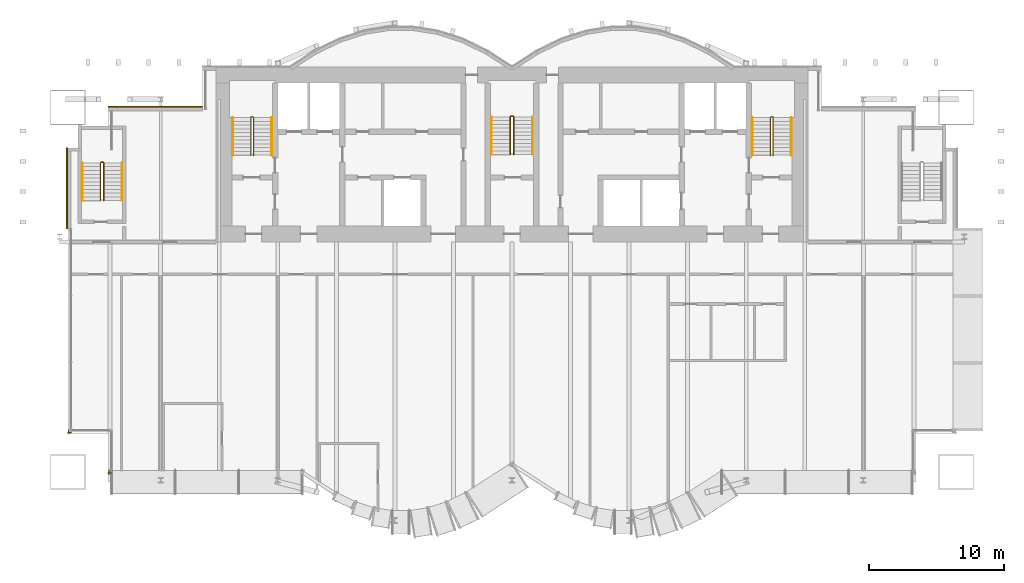
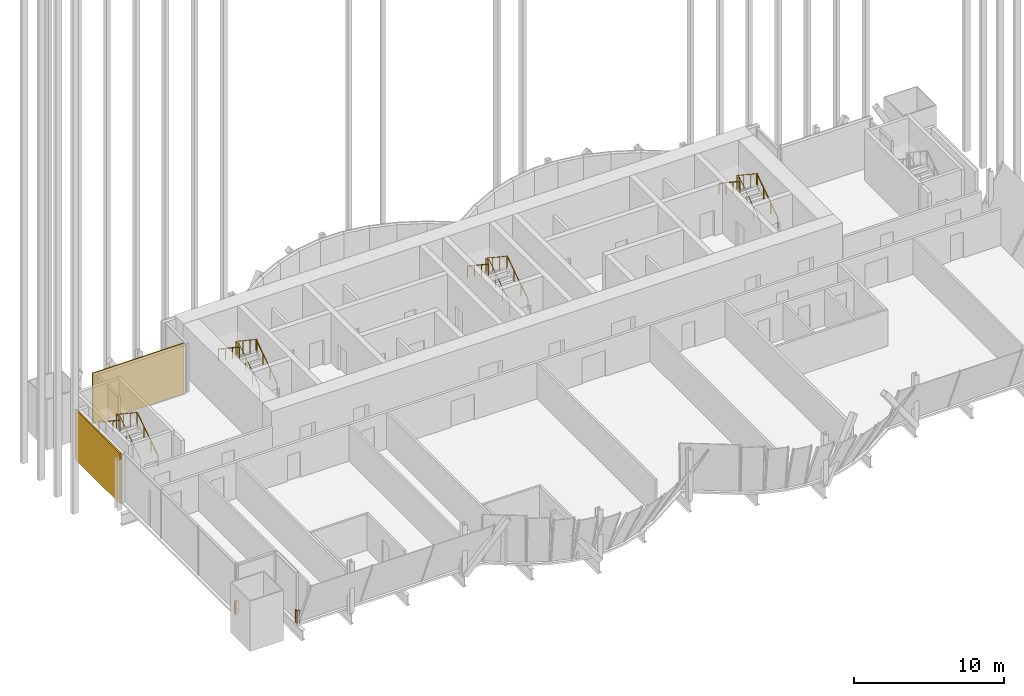
# One storey, part 27 of 29: 14 railings, 2 coverings.
"""IFC4 building model written with IfcOpenShell, lengths in metres."""

from ifc_helpers import new_model, si_unit, direction, frame, origin, origin_2d, place, context, subcontext, project, spatial, rectangle, circle, extrude, material, layer, layer_set, type_object, element, save


model = new_model("IFC4")

# Units and contexts
model_context = context("Model", 3, precision=1e-05, world=origin(), true_north=direction((0.0, 1.0)))
body_context = subcontext(model_context, "Body", "Model", "MODEL_VIEW")
ifc_project = project(units=[si_unit("LENGTHUNIT", "METRE"), si_unit("AREAUNIT", "SQUARE_METRE"), si_unit("VOLUMEUNIT", "CUBIC_METRE"), si_unit("PLANEANGLEUNIT", "RADIAN"), si_unit("MASSUNIT", "GRAM", prefix="KILO")], contexts=[model_context])

# Site, building, storey
site_placement = place(None, origin())
site = spatial("IfcSite", under=ifc_project, at=site_placement, CompositionType="ELEMENT")
building_placement = place(site_placement, origin())
building = spatial("IfcBuilding", under=site, at=building_placement, Name="Bicima Exchange Tower", CompositionType="ELEMENT")
storey_placement = place(building_placement, frame((0.0, 0.0, 190.89990234375)))
storey = spatial("IfcBuildingStorey", under=building, at=storey_placement, Name="L42", CompositionType="ELEMENT", Elevation=190.89990234375)

# Coverings
ifc_material_1 = material(Name="Bronze metal cladding")
ifc_layer_1 = layer(ifc_material_1, 0.004)
ifc_material_2 = material(Name="Ventilated cavity")
ifc_layer_2 = layer(ifc_material_2, 0.06)
ifc_material_3 = material(Name="Galvanised steel rail and mineral wool", Category="steel")
ifc_layer_3 = layer(ifc_material_3, 0.036)
ifc_layer_set = layer_set([ifc_layer_1, ifc_layer_2, ifc_layer_3], Name="Ventilated cavity")
covering_type = type_object("IfcCoveringType", Name="Bronze metal cladding panel 100", PredefinedType="CLADDING", material=ifc_layer_set)
covering_1_placement = place(storey_placement, frame((-26.5, -2.949951171875, -0.14990234375), z_axis=(0.0, 0.0, 1.0), x_axis=(-1.0, 0.0, 0.0)))
element("IfcCovering", 1, at=covering_1_placement, inside=storey, type_object=covering_type, Name="Bronze cladding L42 28.1", PredefinedType="CLADDING", context=body_context, shape_type="SweptSolid", body=[
    extrude(rectangle(XDim=7.0, YDim=0.10009765625, at=origin_2d()), origin(), (0.0, 0.0, 1.0), 4.10009765625),
])
covering_2_placement = place(storey_placement, frame((-33.050048828125, -9.0, -0.14990234375), z_axis=(0.0, 0.0, 1.0), x_axis=(0.0, -1.0, 0.0)))
element("IfcCovering", 2, at=covering_2_placement, inside=storey, type_object=covering_type, Name="Bronze cladding L42 31.1", PredefinedType="CLADDING", context=body_context, shape_type="SweptSolid", body=[
    extrude(rectangle(XDim=6.0, YDim=0.10009765625, at=origin_2d()), origin(), (0.0, 0.0, 1.0), 4.10009765625),
])

# Railings
ifc_material_4 = material(Name="Stainless steel and bonded safety glass", Category="steel")
railing_type_1 = type_object("IfcRailingType", Name="Edge guard 1100", PredefinedType="GUARDRAIL", material=ifc_material_4)
railing_1_placement = place(storey_placement, frame((-29.751953125, -30.166015625, 0.0)))
element("IfcRailing", 3, at=railing_1_placement, inside=storey, type_object=railing_type_1, Name="Edge guard L42 210", PredefinedType="GUARDRAIL", context=body_context, shape_type="SweptSolid", body=[
    extrude(circle(Radius=0.02392578125, at=origin_2d()), frame((0.0, 0.0, 1.076171875), z_axis=(-1.0, 0.0, 0.0), x_axis=(0.0, -1.0, 0.0)), (0.0, 0.0, 1.0), 0.248046875),
    extrude(circle(Radius=0.02392578125, at=origin_2d()), frame((-0.248046875, 0.0, 1.076171875), z_axis=(0.707106781187, -0.707106781187, 0.0), x_axis=(0.707106781187, 0.707106781187, 0.0)), (0.0, 0.0, 1.0), 0.07080078125),
    extrude(circle(Radius=0.02392578125, at=origin_2d()), frame((-0.197998046875, -0.050048828125, 1.076171875), z_axis=(0.0, 1.0, 0.0), x_axis=(-1.0, 0.0, 0.0)), (0.0, 0.0, 1.0), 0.25),
    extrude(circle(Radius=0.02099609375, at=origin_2d()), origin(), (0.0, 0.0, 1.0), 1.052001953125),
    extrude(circle(Radius=0.02099609375, at=origin_2d()), frame((-0.248046875, 0.0, 0.0)), (0.0, 0.0, 1.0), 1.052001953125),
    extrude(circle(Radius=0.02099609375, at=origin_2d()), frame((-0.197998046875, -0.050048828125, 0.0)), (0.0, 0.0, 1.0), 1.052001953125),
    extrude(circle(Radius=0.02099609375, at=origin_2d()), frame((-0.197998046875, 0.199951171875, 0.0)), (0.0, 0.0, 1.0), 1.052001953125),
])
railing_2_placement = place(storey_placement, frame((-32.75, -27.166015625, 0.0)))
element("IfcRailing", 4, at=railing_2_placement, inside=storey, type_object=railing_type_1, Name="Edge guard L42 211", PredefinedType="GUARDRAIL", context=body_context, shape_type="SweptSolid", body=[
    extrude(circle(Radius=0.02392578125, at=origin_2d()), frame((0.0, 0.0, 1.076171875), z_axis=(-1.0, 0.0, 0.0), x_axis=(0.0, -1.0, 0.0)), (0.0, 0.0, 1.0), 0.25),
    extrude(circle(Radius=0.02392578125, at=origin_2d()), frame((-0.25, 0.0, 1.076171875), z_axis=(0.707106781187, -0.707106781187, 0.0), x_axis=(0.707106781187, 0.707106781187, 0.0)), (0.0, 0.0, 1.0), 0.07080078125),
    extrude(circle(Radius=0.02392578125, at=origin_2d()), frame((-0.199951171875, -0.050048828125, 1.076171875), z_axis=(0.0, 1.0, 0.0), x_axis=(-1.0, 0.0, 0.0)), (0.0, 0.0, 1.0), 0.25),
    extrude(circle(Radius=0.02099609375, at=origin_2d()), origin(), (0.0, 0.0, 1.0), 1.052001953125),
    extrude(circle(Radius=0.02099609375, at=origin_2d()), frame((-0.25, 0.0, 0.0)), (0.0, 0.0, 1.0), 1.052001953125),
    extrude(circle(Radius=0.02099609375, at=origin_2d()), frame((-0.199951171875, -0.050048828125, 0.0)), (0.0, 0.0, 1.0), 1.052001953125),
    extrude(circle(Radius=0.02099609375, at=origin_2d()), frame((-0.199951171875, 0.199951171875, 0.0)), (0.0, 0.0, 1.0), 1.052001953125),
])
ifc_material_5 = material(Name="Stainless steel", Category="steel")
railing_type_2 = type_object("IfcRailingType", Name="Stair guard 1100", PredefinedType="GUARDRAIL", material=ifc_material_5)
railing_3_placement = place(storey_placement, frame((-19.199951171875, -6.550048828125, 0.1865234375)))
element("IfcRailing", 5, at=railing_3_placement, inside=storey, type_object=railing_type_2, Name="L42 ST-W stair guard 1", PredefinedType="GUARDRAIL", context=body_context, shape_type="SweptSolid", body=[
    extrude(circle(Radius=0.02392578125, at=origin_2d()), frame((0.0, 0.0, 1.076171875), z_axis=(0.0, 0.832485552168, 0.554046753832), x_axis=(-1.0, 0.0, 0.0)), (0.0, 0.0, 1.0), 3.363525390625),
    extrude(circle(Radius=0.02392578125, at=origin_2d()), frame((0.0, 2.800048828125, 2.939453125), z_axis=(-0.707106781187, 0.707106781187, 0.0), x_axis=(-0.707106781187, -0.707106781187, 0.0)), (0.0, 0.0, 1.0), 0.07080078125),
    extrude(circle(Radius=0.02392578125, at=origin_2d()), frame((-0.050048828125, 2.85009765625, 2.939453125), z_axis=(-1.0, 0.0, 0.0), x_axis=(0.0, -1.0, 0.0)), (0.0, 0.0, 1.0), 0.10009765625),
    extrude(circle(Radius=0.02392578125, at=origin_2d()), frame((-0.150146484375, 2.85009765625, 2.939453125), z_axis=(-0.249722437352, -0.250946566947, 0.935235010476), x_axis=(0.708833529934, -0.705375805398, 0.0)), (0.0, 0.0, 1.0), 0.199462890625),
    extrude(circle(Radius=0.02392578125, at=origin_2d()), frame((-0.199951171875, 2.800048828125, 3.1259765625), z_axis=(0.0, -0.832485552168, 0.554046753832), x_axis=(1.0, 0.0, 0.0)), (0.0, 0.0, 1.0), 3.363525390625),
    extrude(circle(Radius=0.02099609375, at=origin_2d()), origin(), (0.0, 0.0, 1.0), 1.052001953125),
    extrude(circle(Radius=0.02099609375, at=origin_2d()), frame((0.0, 0.933349609375, 0.62109375)), (0.0, 0.0, 1.0), 1.052001953125),
    extrude(circle(Radius=0.02099609375, at=origin_2d()), frame((0.0, 1.86669921875, 1.242431640625)), (0.0, 0.0, 1.0), 1.052001953125),
    extrude(circle(Radius=0.02099609375, at=origin_2d()), frame((0.0, 2.800048828125, 1.863525390625)), (0.0, 0.0, 1.0), 1.052001953125),
    extrude(circle(Radius=0.02099609375, at=origin_2d()), frame((-0.050048828125, 2.85009765625, 1.863525390625)), (0.0, 0.0, 1.0), 1.052001953125),
    extrude(circle(Radius=0.02099609375, at=origin_2d()), frame((-0.150146484375, 2.85009765625, 1.863525390625)), (0.0, 0.0, 1.0), 1.052001953125),
    extrude(circle(Radius=0.02099609375, at=origin_2d()), frame((-0.199951171875, 2.800048828125, 2.050048828125)), (0.0, 0.0, 1.0), 1.052001953125),
    extrude(circle(Radius=0.02099609375, at=origin_2d()), frame((-0.199951171875, 1.86669921875, 2.671142578125)), (0.0, 0.0, 1.0), 1.052001953125),
    extrude(circle(Radius=0.02099609375, at=origin_2d()), frame((-0.199951171875, 0.933349609375, 3.29248046875)), (0.0, 0.0, 1.0), 1.052001953125),
    extrude(circle(Radius=0.02099609375, at=origin_2d()), frame((-0.199951171875, 0.0, 3.91357421875)), (0.0, 0.0, 1.0), 1.052001953125),
])
railing_4_placement = place(storey_placement, frame((0.125, -6.5, 0.1865234375)))
element("IfcRailing", 6, at=railing_4_placement, inside=storey, type_object=railing_type_2, Name="L42 ST-C stair guard 1", PredefinedType="GUARDRAIL", context=body_context, shape_type="SweptSolid", body=[
    extrude(circle(Radius=0.02392578125, at=origin_2d()), frame((0.0, 0.0, 1.076171875), z_axis=(0.0, 0.832485552168, 0.554046753832), x_axis=(-1.0, 0.0, 0.0)), (0.0, 0.0, 1.0), 3.363525390625),
    extrude(circle(Radius=0.02392578125, at=origin_2d()), frame((0.0, 2.800048828125, 2.939453125), z_axis=(-0.707106781187, 0.707106781187, 0.0), x_axis=(-0.707106781187, -0.707106781187, 0.0)), (0.0, 0.0, 1.0), 0.07080078125),
    extrude(circle(Radius=0.02392578125, at=origin_2d()), frame((-0.050048828125, 2.85009765625, 2.939453125), z_axis=(-1.0, 0.0, 0.0), x_axis=(0.0, -1.0, 0.0)), (0.0, 0.0, 1.0), 0.14990234375),
    extrude(circle(Radius=0.02392578125, at=origin_2d()), frame((-0.199951171875, 2.85009765625, 2.939453125), z_axis=(-0.250869701741, -0.250869701741, 0.934948546978), x_axis=(0.707106781187, -0.707106781187, 0.0)), (0.0, 0.0, 1.0), 0.199462890625),
    extrude(circle(Radius=0.02392578125, at=origin_2d()), frame((-0.25, 2.800048828125, 3.1259765625), z_axis=(0.0, -0.832485552168, 0.554046753832), x_axis=(1.0, 0.0, 0.0)), (0.0, 0.0, 1.0), 3.363525390625),
    extrude(circle(Radius=0.02099609375, at=origin_2d()), origin(), (0.0, 0.0, 1.0), 1.052001953125),
    extrude(circle(Radius=0.02099609375, at=origin_2d()), frame((0.0, 0.933349609375, 0.62109375)), (0.0, 0.0, 1.0), 1.052001953125),
    extrude(circle(Radius=0.02099609375, at=origin_2d()), frame((0.0, 1.86669921875, 1.242431640625)), (0.0, 0.0, 1.0), 1.052001953125),
    extrude(circle(Radius=0.02099609375, at=origin_2d()), frame((0.0, 2.800048828125, 1.863525390625)), (0.0, 0.0, 1.0), 1.052001953125),
    extrude(circle(Radius=0.02099609375, at=origin_2d()), frame((-0.050048828125, 2.85009765625, 1.863525390625)), (0.0, 0.0, 1.0), 1.052001953125),
    extrude(circle(Radius=0.02099609375, at=origin_2d()), frame((-0.199951171875, 2.85009765625, 1.863525390625)), (0.0, 0.0, 1.0), 1.052001953125),
    extrude(circle(Radius=0.02099609375, at=origin_2d()), frame((-0.25, 2.800048828125, 2.050048828125)), (0.0, 0.0, 1.0), 1.052001953125),
    extrude(circle(Radius=0.02099609375, at=origin_2d()), frame((-0.25, 1.86669921875, 2.671142578125)), (0.0, 0.0, 1.0), 1.052001953125),
    extrude(circle(Radius=0.02099609375, at=origin_2d()), frame((-0.25, 0.933349609375, 3.29248046875)), (0.0, 0.0, 1.0), 1.052001953125),
    extrude(circle(Radius=0.02099609375, at=origin_2d()), frame((-0.25, 0.0, 3.91357421875)), (0.0, 0.0, 1.0), 1.052001953125),
])
railing_5_placement = place(storey_placement, frame((19.39990234375, -6.550048828125, 0.1865234375)))
element("IfcRailing", 7, at=railing_5_placement, inside=storey, type_object=railing_type_2, Name="L42 ST-E stair guard 1", PredefinedType="GUARDRAIL", context=body_context, shape_type="SweptSolid", body=[
    extrude(circle(Radius=0.02392578125, at=origin_2d()), frame((0.0, 0.0, 1.076171875), z_axis=(0.0, 0.832485552168, 0.554046753832), x_axis=(-1.0, 0.0, 0.0)), (0.0, 0.0, 1.0), 3.363525390625),
    extrude(circle(Radius=0.02392578125, at=origin_2d()), frame((0.0, 2.800048828125, 2.939453125), z_axis=(-0.705375805398, 0.708833529934, 0.0), x_axis=(-0.708833529934, -0.705375805398, 0.0)), (0.0, 0.0, 1.0), 0.070556640625),
    extrude(circle(Radius=0.02392578125, at=origin_2d()), frame((-0.0498046875, 2.85009765625, 2.939453125), z_axis=(-1.0, 0.0, 0.0), x_axis=(0.0, -1.0, 0.0)), (0.0, 0.0, 1.0), 0.10009765625),
    extrude(circle(Radius=0.02392578125, at=origin_2d()), frame((-0.14990234375, 2.85009765625, 2.939453125), z_axis=(-0.250869701741, -0.250869701741, 0.934948546978), x_axis=(0.707106781187, -0.707106781187, 0.0)), (0.0, 0.0, 1.0), 0.199462890625),
    extrude(circle(Radius=0.02392578125, at=origin_2d()), frame((-0.199951171875, 2.800048828125, 3.1259765625), z_axis=(0.0, -0.832485552168, 0.554046753832), x_axis=(1.0, 0.0, 0.0)), (0.0, 0.0, 1.0), 3.363525390625),
    extrude(circle(Radius=0.02099609375, at=origin_2d()), origin(), (0.0, 0.0, 1.0), 1.052001953125),
    extrude(circle(Radius=0.02099609375, at=origin_2d()), frame((0.0, 0.933349609375, 0.62109375)), (0.0, 0.0, 1.0), 1.052001953125),
    extrude(circle(Radius=0.02099609375, at=origin_2d()), frame((0.0, 1.86669921875, 1.242431640625)), (0.0, 0.0, 1.0), 1.052001953125),
    extrude(circle(Radius=0.02099609375, at=origin_2d()), frame((0.0, 2.800048828125, 1.863525390625)), (0.0, 0.0, 1.0), 1.052001953125),
    extrude(circle(Radius=0.02099609375, at=origin_2d()), frame((-0.0498046875, 2.85009765625, 1.863525390625)), (0.0, 0.0, 1.0), 1.052001953125),
    extrude(circle(Radius=0.02099609375, at=origin_2d()), frame((-0.14990234375, 2.85009765625, 1.863525390625)), (0.0, 0.0, 1.0), 1.052001953125),
    extrude(circle(Radius=0.02099609375, at=origin_2d()), frame((-0.199951171875, 2.800048828125, 2.050048828125)), (0.0, 0.0, 1.0), 1.052001953125),
    extrude(circle(Radius=0.02099609375, at=origin_2d()), frame((-0.199951171875, 1.86669921875, 2.671142578125)), (0.0, 0.0, 1.0), 1.052001953125),
    extrude(circle(Radius=0.02099609375, at=origin_2d()), frame((-0.199951171875, 0.933349609375, 3.29248046875)), (0.0, 0.0, 1.0), 1.052001953125),
    extrude(circle(Radius=0.02099609375, at=origin_2d()), frame((-0.199951171875, 0.0, 3.91357421875)), (0.0, 0.0, 1.0), 1.052001953125),
])
railing_6_placement = place(storey_placement, frame((-30.324951171875, -9.925048828125, 0.1865234375)))
element("IfcRailing", 8, at=railing_6_placement, inside=storey, type_object=railing_type_2, Name="L42 ST-WW stair guard 1", PredefinedType="GUARDRAIL", context=body_context, shape_type="SweptSolid", body=[
    extrude(circle(Radius=0.02392578125, at=origin_2d()), frame((0.0, 0.0, 1.076171875), z_axis=(0.0, 0.832485552168, 0.554046753832), x_axis=(-1.0, 0.0, 0.0)), (0.0, 0.0, 1.0), 3.363525390625),
    extrude(circle(Radius=0.02392578125, at=origin_2d()), frame((0.0, 2.800048828125, 2.939453125), z_axis=(-0.707106781187, 0.707106781187, 0.0), x_axis=(-0.707106781187, -0.707106781187, 0.0)), (0.0, 0.0, 1.0), 0.07080078125),
    extrude(circle(Radius=0.02392578125, at=origin_2d()), frame((-0.050048828125, 2.85009765625, 2.939453125), z_axis=(-1.0, 0.0, 0.0), x_axis=(0.0, -1.0, 0.0)), (0.0, 0.0, 1.0), 0.14990234375),
    extrude(circle(Radius=0.02392578125, at=origin_2d()), frame((-0.199951171875, 2.85009765625, 2.939453125), z_axis=(-0.250869701741, -0.250869701741, 0.934948546978), x_axis=(0.707106781187, -0.707106781187, 0.0)), (0.0, 0.0, 1.0), 0.199462890625),
    extrude(circle(Radius=0.02392578125, at=origin_2d()), frame((-0.25, 2.800048828125, 3.1259765625), z_axis=(0.0, -0.832485552168, 0.554046753832), x_axis=(1.0, 0.0, 0.0)), (0.0, 0.0, 1.0), 3.363525390625),
    extrude(circle(Radius=0.02099609375, at=origin_2d()), origin(), (0.0, 0.0, 1.0), 1.052001953125),
    extrude(circle(Radius=0.02099609375, at=origin_2d()), frame((0.0, 0.933349609375, 0.62109375)), (0.0, 0.0, 1.0), 1.052001953125),
    extrude(circle(Radius=0.02099609375, at=origin_2d()), frame((0.0, 1.86669921875, 1.242431640625)), (0.0, 0.0, 1.0), 1.052001953125),
    extrude(circle(Radius=0.02099609375, at=origin_2d()), frame((0.0, 2.800048828125, 1.863525390625)), (0.0, 0.0, 1.0), 1.052001953125),
    extrude(circle(Radius=0.02099609375, at=origin_2d()), frame((-0.050048828125, 2.85009765625, 1.863525390625)), (0.0, 0.0, 1.0), 1.052001953125),
    extrude(circle(Radius=0.02099609375, at=origin_2d()), frame((-0.199951171875, 2.85009765625, 1.863525390625)), (0.0, 0.0, 1.0), 1.052001953125),
    extrude(circle(Radius=0.02099609375, at=origin_2d()), frame((-0.25, 2.800048828125, 2.050048828125)), (0.0, 0.0, 1.0), 1.052001953125),
    extrude(circle(Radius=0.02099609375, at=origin_2d()), frame((-0.25, 1.86669921875, 2.671142578125)), (0.0, 0.0, 1.0), 1.052001953125),
    extrude(circle(Radius=0.02099609375, at=origin_2d()), frame((-0.25, 0.933349609375, 3.29248046875)), (0.0, 0.0, 1.0), 1.052001953125),
    extrude(circle(Radius=0.02099609375, at=origin_2d()), frame((-0.25, 0.0, 3.91357421875)), (0.0, 0.0, 1.0), 1.052001953125),
])
railing_type_3 = type_object("IfcRailingType", Name="Stair handrail 900", PredefinedType="HANDRAIL", material=ifc_material_5)
railing_7_placement = place(storey_placement, frame((-17.85009765625, -6.550048828125, 0.1865234375)))
element("IfcRailing", 9, at=railing_7_placement, inside=storey, type_object=railing_type_3, Name="L42 ST-W stair handrail 1", PredefinedType="HANDRAIL", context=body_context, shape_type="SweptSolid", body=[
    extrude(circle(Radius=0.02392578125, at=origin_2d()), frame((0.0, 0.0, 0.8759765625), z_axis=(0.0, 0.832485552168, 0.554046753832), x_axis=(-1.0, 0.0, 0.0)), (0.0, 0.0, 1.0), 3.363525390625),
    extrude(circle(Radius=0.02099609375, at=origin_2d()), origin(), (0.0, 0.0, 1.0), 0.851806640625),
    extrude(circle(Radius=0.02099609375, at=origin_2d()), frame((0.0, 0.933349609375, 0.62109375)), (0.0, 0.0, 1.0), 0.851806640625),
    extrude(circle(Radius=0.02099609375, at=origin_2d()), frame((0.0, 1.86669921875, 1.242431640625)), (0.0, 0.0, 1.0), 0.851806640625),
    extrude(circle(Radius=0.02099609375, at=origin_2d()), frame((0.0, 2.800048828125, 1.863525390625)), (0.0, 0.0, 1.0), 0.851806640625),
])
railing_8_placement = place(storey_placement, frame((-20.75, -3.75, 2.27685546875)))
element("IfcRailing", 10, at=railing_8_placement, inside=storey, type_object=railing_type_3, Name="L42 ST-W stair handrail 2", PredefinedType="HANDRAIL", context=body_context, shape_type="SweptSolid", body=[
    extrude(circle(Radius=0.02392578125, at=origin_2d()), frame((0.0, 0.0, 0.8759765625), z_axis=(0.0, -0.832485552168, 0.554046753832), x_axis=(1.0, 0.0, 0.0)), (0.0, 0.0, 1.0), 3.363525390625),
    extrude(circle(Radius=0.02099609375, at=origin_2d()), origin(), (0.0, 0.0, 1.0), 0.851806640625),
    extrude(circle(Radius=0.02099609375, at=origin_2d()), frame((0.0, -0.933349609375, 0.62109375)), (0.0, 0.0, 1.0), 0.851806640625),
    extrude(circle(Radius=0.02099609375, at=origin_2d()), frame((0.0, -1.86669921875, 1.242431640625)), (0.0, 0.0, 1.0), 0.851806640625),
    extrude(circle(Radius=0.02099609375, at=origin_2d()), frame((0.0, -2.800048828125, 1.863525390625)), (0.0, 0.0, 1.0), 0.851806640625),
])
railing_9_placement = place(storey_placement, frame((1.52490234375, -6.5, 0.1865234375)))
element("IfcRailing", 11, at=railing_9_placement, inside=storey, type_object=railing_type_3, Name="L42 ST-C stair handrail 1", PredefinedType="HANDRAIL", context=body_context, shape_type="SweptSolid", body=[
    extrude(circle(Radius=0.02392578125, at=origin_2d()), frame((0.0, 0.0, 0.8759765625), z_axis=(0.0, 0.832485552168, 0.554046753832), x_axis=(-1.0, 0.0, 0.0)), (0.0, 0.0, 1.0), 3.363525390625),
    extrude(circle(Radius=0.02099609375, at=origin_2d()), origin(), (0.0, 0.0, 1.0), 0.851806640625),
    extrude(circle(Radius=0.02099609375, at=origin_2d()), frame((0.0, 0.933349609375, 0.62109375)), (0.0, 0.0, 1.0), 0.851806640625),
    extrude(circle(Radius=0.02099609375, at=origin_2d()), frame((0.0, 1.86669921875, 1.242431640625)), (0.0, 0.0, 1.0), 0.851806640625),
    extrude(circle(Radius=0.02099609375, at=origin_2d()), frame((0.0, 2.800048828125, 1.863525390625)), (0.0, 0.0, 1.0), 0.851806640625),
])
railing_10_placement = place(storey_placement, frame((-1.52490234375, -3.699951171875, 2.27685546875)))
element("IfcRailing", 12, at=railing_10_placement, inside=storey, type_object=railing_type_3, Name="L42 ST-C stair handrail 2", PredefinedType="HANDRAIL", context=body_context, shape_type="SweptSolid", body=[
    extrude(circle(Radius=0.02392578125, at=origin_2d()), frame((0.0, 0.0, 0.8759765625), z_axis=(0.0, -0.832485552168, 0.554046753832), x_axis=(1.0, 0.0, 0.0)), (0.0, 0.0, 1.0), 3.363525390625),
    extrude(circle(Radius=0.02099609375, at=origin_2d()), origin(), (0.0, 0.0, 1.0), 0.851806640625),
    extrude(circle(Radius=0.02099609375, at=origin_2d()), frame((0.0, -0.933349609375, 0.62109375)), (0.0, 0.0, 1.0), 0.851806640625),
    extrude(circle(Radius=0.02099609375, at=origin_2d()), frame((0.0, -1.86669921875, 1.242431640625)), (0.0, 0.0, 1.0), 0.851806640625),
    extrude(circle(Radius=0.02099609375, at=origin_2d()), frame((0.0, -2.800048828125, 1.863525390625)), (0.0, 0.0, 1.0), 0.851806640625),
])
railing_11_placement = place(storey_placement, frame((20.75, -6.550048828125, 0.1865234375)))
element("IfcRailing", 13, at=railing_11_placement, inside=storey, type_object=railing_type_3, Name="L42 ST-E stair handrail 1", PredefinedType="HANDRAIL", context=body_context, shape_type="SweptSolid", body=[
    extrude(circle(Radius=0.02392578125, at=origin_2d()), frame((0.0, 0.0, 0.8759765625), z_axis=(0.0, 0.832485552168, 0.554046753832), x_axis=(-1.0, 0.0, 0.0)), (0.0, 0.0, 1.0), 3.363525390625),
    extrude(circle(Radius=0.02099609375, at=origin_2d()), origin(), (0.0, 0.0, 1.0), 0.851806640625),
    extrude(circle(Radius=0.02099609375, at=origin_2d()), frame((0.0, 0.933349609375, 0.62109375)), (0.0, 0.0, 1.0), 0.851806640625),
    extrude(circle(Radius=0.02099609375, at=origin_2d()), frame((0.0, 1.86669921875, 1.242431640625)), (0.0, 0.0, 1.0), 0.851806640625),
    extrude(circle(Radius=0.02099609375, at=origin_2d()), frame((0.0, 2.800048828125, 1.863525390625)), (0.0, 0.0, 1.0), 0.851806640625),
])
railing_12_placement = place(storey_placement, frame((17.85009765625, -3.75, 2.27685546875)))
element("IfcRailing", 14, at=railing_12_placement, inside=storey, type_object=railing_type_3, Name="L42 ST-E stair handrail 2", PredefinedType="HANDRAIL", context=body_context, shape_type="SweptSolid", body=[
    extrude(circle(Radius=0.02392578125, at=origin_2d()), frame((0.0, 0.0, 0.8759765625), z_axis=(0.0, -0.832485552168, 0.554046753832), x_axis=(1.0, 0.0, 0.0)), (0.0, 0.0, 1.0), 3.363525390625),
    extrude(circle(Radius=0.02099609375, at=origin_2d()), origin(), (0.0, 0.0, 1.0), 0.851806640625),
    extrude(circle(Radius=0.02099609375, at=origin_2d()), frame((0.0, -0.933349609375, 0.62109375)), (0.0, 0.0, 1.0), 0.851806640625),
    extrude(circle(Radius=0.02099609375, at=origin_2d()), frame((0.0, -1.86669921875, 1.242431640625)), (0.0, 0.0, 1.0), 0.851806640625),
    extrude(circle(Radius=0.02099609375, at=origin_2d()), frame((0.0, -2.800048828125, 1.863525390625)), (0.0, 0.0, 1.0), 0.851806640625),
])
railing_13_placement = place(storey_placement, frame((-28.97509765625, -9.925048828125, 0.1865234375)))
element("IfcRailing", 15, at=railing_13_placement, inside=storey, type_object=railing_type_3, Name="L42 ST-WW stair handrail 1", PredefinedType="HANDRAIL", context=body_context, shape_type="SweptSolid", body=[
    extrude(circle(Radius=0.02392578125, at=origin_2d()), frame((0.0, 0.0, 0.8759765625), z_axis=(0.0, 0.832485552168, 0.554046753832), x_axis=(-1.0, 0.0, 0.0)), (0.0, 0.0, 1.0), 3.363525390625),
    extrude(circle(Radius=0.02099609375, at=origin_2d()), origin(), (0.0, 0.0, 1.0), 0.851806640625),
    extrude(circle(Radius=0.02099609375, at=origin_2d()), frame((0.0, 0.933349609375, 0.62109375)), (0.0, 0.0, 1.0), 0.851806640625),
    extrude(circle(Radius=0.02099609375, at=origin_2d()), frame((0.0, 1.86669921875, 1.242431640625)), (0.0, 0.0, 1.0), 0.851806640625),
    extrude(circle(Radius=0.02099609375, at=origin_2d()), frame((0.0, 2.800048828125, 1.863525390625)), (0.0, 0.0, 1.0), 0.851806640625),
])
railing_14_placement = place(storey_placement, frame((-31.925048828125, -7.125, 2.27685546875)))
element("IfcRailing", 16, at=railing_14_placement, inside=storey, type_object=railing_type_3, Name="L42 ST-WW stair handrail 2", PredefinedType="HANDRAIL", context=body_context, shape_type="SweptSolid", body=[
    extrude(circle(Radius=0.02392578125, at=origin_2d()), frame((0.0, 0.0, 0.8759765625), z_axis=(0.0, -0.832485552168, 0.554046753832), x_axis=(1.0, 0.0, 0.0)), (0.0, 0.0, 1.0), 3.363525390625),
    extrude(circle(Radius=0.02099609375, at=origin_2d()), origin(), (0.0, 0.0, 1.0), 0.851806640625),
    extrude(circle(Radius=0.02099609375, at=origin_2d()), frame((0.0, -0.933349609375, 0.62109375)), (0.0, 0.0, 1.0), 0.851806640625),
    extrude(circle(Radius=0.02099609375, at=origin_2d()), frame((0.0, -1.86669921875, 1.242431640625)), (0.0, 0.0, 1.0), 0.851806640625),
    extrude(circle(Radius=0.02099609375, at=origin_2d()), frame((0.0, -2.800048828125, 1.863525390625)), (0.0, 0.0, 1.0), 0.851806640625),
])

save(model, "model.ifc")
